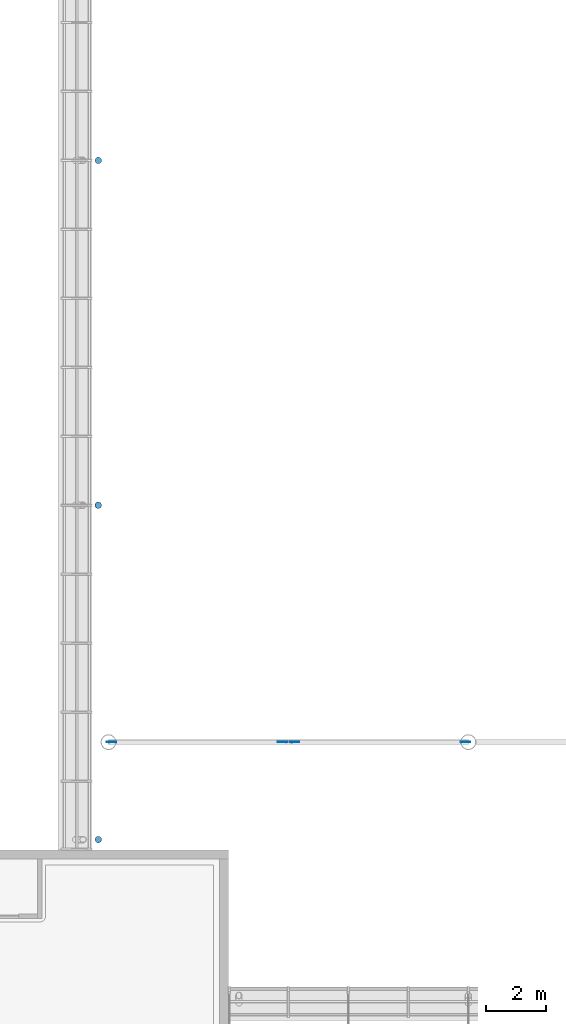
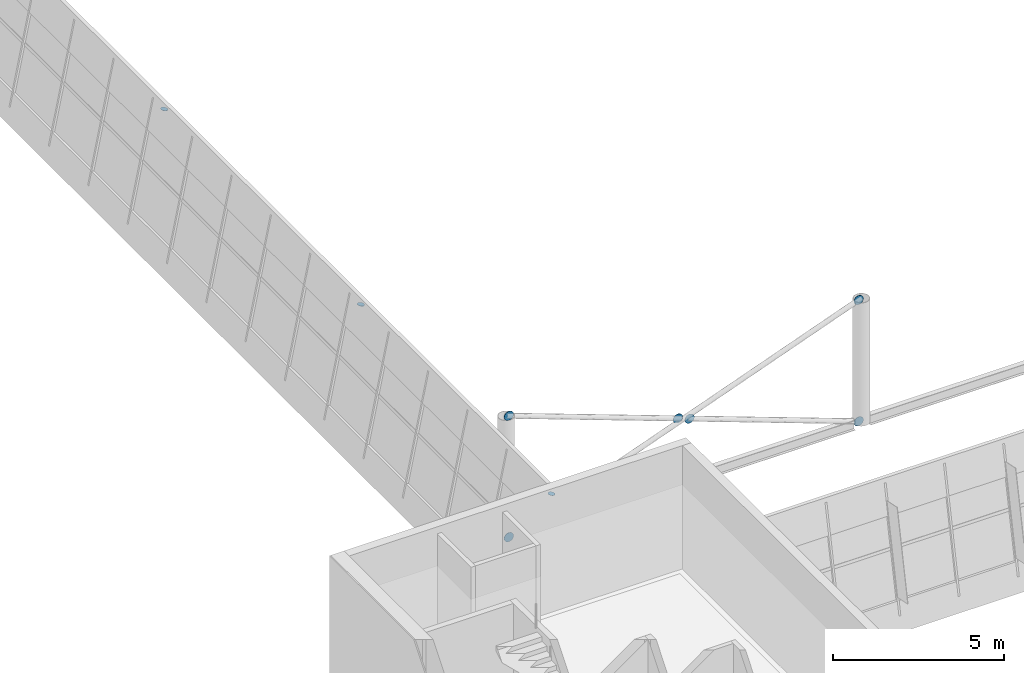
# One storey, part 37 of 50: 9 discrete accessories.
"""IFC4 building model written with IfcOpenShell, lengths in metres."""

from ifc_helpers import new_model, si_unit, direction, frame, origin, origin_2d, place, context, subcontext, project, spatial, circle, extrude, material, layer, layer_set, type_object, element, save


model = new_model("IFC4")

# Units and contexts
model_context = context("Model", 3, precision=1e-05, world=origin(), true_north=direction((0.0, 1.0)))
body_context = subcontext(model_context, "Body", "Model", "MODEL_VIEW")
ifc_project = project(units=[si_unit("LENGTHUNIT", "METRE"), si_unit("AREAUNIT", "SQUARE_METRE"), si_unit("VOLUMEUNIT", "CUBIC_METRE"), si_unit("PLANEANGLEUNIT", "RADIAN"), si_unit("MASSUNIT", "GRAM", prefix="KILO")], contexts=[model_context])

# Site, building, storey
site_placement = place(None, origin())
site = spatial("IfcSite", under=ifc_project, at=site_placement, CompositionType="ELEMENT")
building_placement = place(site_placement, origin())
building = spatial("IfcBuilding", under=site, at=building_placement, Name="Windward Yard Aquatics Centre", CompositionType="ELEMENT")
storey_placement = place(building_placement, frame((0.0, 0.0, 18.199951171875)))
storey = spatial("IfcBuildingStorey", under=building, at=storey_placement, Name="L04", CompositionType="ELEMENT", Elevation=18.199951171875)

# Discrete accessories
ifc_material = material(Name="Steel S355", Category="steel")
ifc_layer_1 = layer(ifc_material, 0.010009765625)
ifc_layer_set_1 = layer_set([ifc_layer_1], Name="End cap plate 10 mm CHS219.1x12.7")
discrete_accessory_type_1 = type_object("IfcDiscreteAccessoryType", Name="End cap plate 10 mm CHS219.1x12.7", PredefinedType="USERDEFINED", material=ifc_layer_set_1)
for number, where, z_axis, x_axis, name in (
    (1, (59.65771484375, 49.5, 3.7001953125), (0.196116135138, 0.0, 0.980580675691), (0.0, 1.0, 0.0), "End cap"),
    (2, (59.65771484375, 61.0, 3.7001953125), (0.196116135138, 0.0, 0.980580675691), (0.0, 1.0, 0.0), "End cap"),
    (3, (59.65771484375, 38.35009765625, 3.7001953125), (0.196116135138, 0.0, 0.980580675691), (0.0, 1.0, 0.0), "End cap"),
):
    element("IfcDiscreteAccessory", number, at=place(storey_placement, frame(where, z_axis=z_axis, x_axis=x_axis)), inside=storey, type_object=discrete_accessory_type_1, Name=name, ObjectType="END CAP", PredefinedType="USERDEFINED", context=body_context, shape_type="SweptSolid", body=[
        extrude(circle(Radius=0.109619140625, at=origin_2d()), origin(), (0.0, 0.0, 1.0), 0.010009765625),
    ])
ifc_layer_2 = layer(ifc_material, 0.011962890625)
ifc_layer_set_2 = layer_set([ifc_layer_2], Name="Gusset plate 320 mm disc 12 mm")
discrete_accessory_type_2 = type_object("IfcDiscreteAccessoryType", Name="Gusset plate 320 mm disc 12 mm", PredefinedType="USERDEFINED", material=ifc_layer_set_2)
for number, where, z_axis, x_axis, name in (
    (4, (60.093994140625, 41.593994140625, 0.034423828125), (0.0, 1.0, 0.0), (-1.0, 0.0, 0.0), "Gusset plate"),
    (5, (71.906005859375, 41.593994140625, 4.36572265625), (0.0, 1.0, 0.0), (-1.0, 0.0, 0.0), "Gusset plate"),
    (6, (60.093994140625, 41.593994140625, 4.36572265625), (0.0, 1.0, 0.0), (-1.0, 0.0, 0.0), "Gusset plate"),
    (7, (65.802734375, 41.593994140625, 2.2724609375), (0.0, 1.0, 0.0), (-1.0, 0.0, 0.0), "Gusset plate"),
    (8, (66.197265625, 41.593994140625, 2.127685546875), (0.0, 1.0, 0.0), (-1.0, 0.0, 0.0), "Gusset plate"),
    (9, (71.906005859375, 41.593994140625, 0.034423828125), (0.0, 1.0, 0.0), (-1.0, 0.0, 0.0), "Gusset plate"),
):
    element("IfcDiscreteAccessory", number, at=place(storey_placement, frame(where, z_axis=z_axis, x_axis=x_axis)), inside=storey, type_object=discrete_accessory_type_2, Name=name, ObjectType="GUSSET PLATE", PredefinedType="USERDEFINED", context=body_context, shape_type="SweptSolid", body=[
        extrude(circle(Radius=0.159912109375, at=origin_2d()), origin(), (0.0, 0.0, 1.0), 0.011962890625),
    ])

save(model, "model.ifc")
